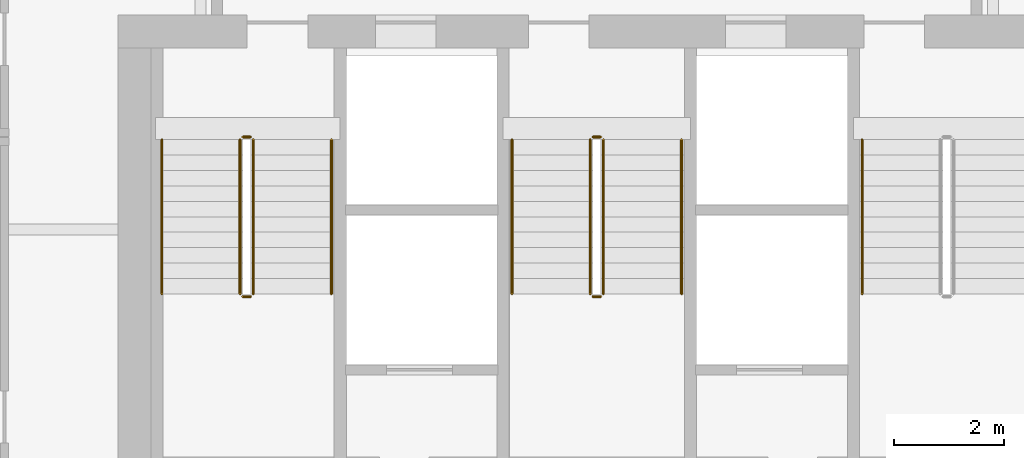
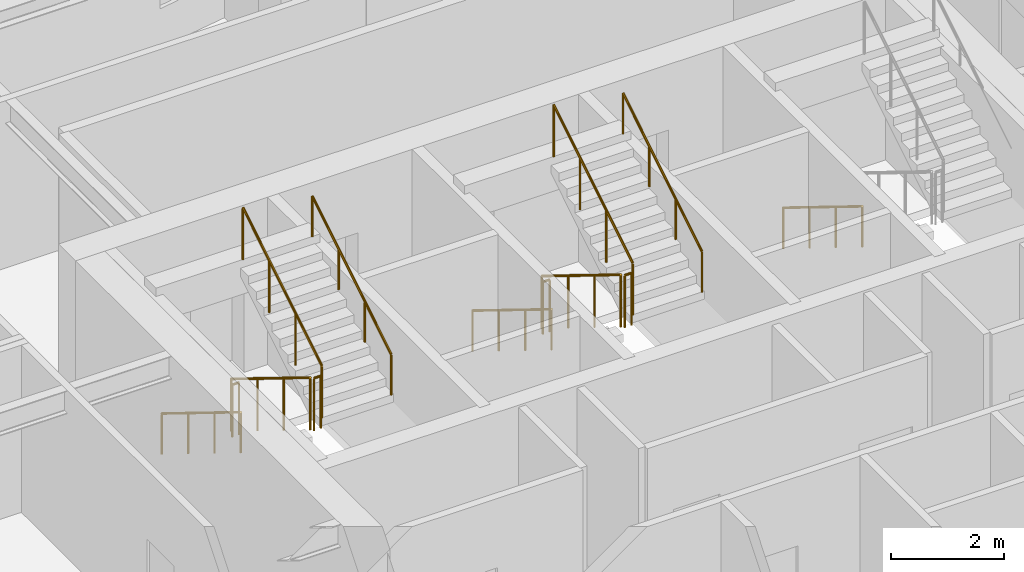
# One storey, part 11 of 12: 13 railings.
"""IFC4 building model written with IfcOpenShell, lengths in metres."""

from ifc_helpers import new_model, si_unit, direction, frame, origin, origin_2d, place, context, subcontext, project, spatial, circle, extrude, material, type_object, element, save


model = new_model("IFC4")

# Units and contexts
model_context = context("Model", 3, precision=1e-05, world=origin(), true_north=direction((0.0, 1.0)))
body_context = subcontext(model_context, "Body", "Model", "MODEL_VIEW")
ifc_project = project(units=[si_unit("LENGTHUNIT", "METRE"), si_unit("AREAUNIT", "SQUARE_METRE"), si_unit("VOLUMEUNIT", "CUBIC_METRE"), si_unit("PLANEANGLEUNIT", "RADIAN"), si_unit("MASSUNIT", "GRAM", prefix="KILO")], contexts=[model_context])

# Site, building, storey
site_placement = place(None, origin())
site = spatial("IfcSite", under=ifc_project, at=site_placement, CompositionType="ELEMENT")
building_placement = place(site_placement, origin())
building = spatial("IfcBuilding", under=site, at=building_placement, Name="Haolan Belvedere Tower", CompositionType="ELEMENT")
storey_placement = place(building_placement, frame((0.0, 0.0, 184.199951171875)))
storey = spatial("IfcBuildingStorey", under=building, at=storey_placement, Name="L46", CompositionType="ELEMENT", Elevation=184.199951171875)

# Railings
ifc_material = material(Name="Brushed stainless steel 304", Category="steel")
railing_type_1 = type_object("IfcRailingType", Name="RL-STAIR-GRD-1150", PredefinedType="GUARDRAIL", material=ifc_material)
railing_1_placement = place(storey_placement, frame((31.919921875, 41.22998046875, 0.1728515625)))
element("IfcRailing", 1, at=railing_1_placement, inside=storey, type_object=railing_type_1, Name="L46 ST1 stair guard 1", PredefinedType="GUARDRAIL", context=body_context, shape_type="SweptSolid", body=[
    extrude(circle(Radius=0.02392578125, at=origin_2d()), frame((0.0, 0.0, 1.1259765625), z_axis=(0.0, -0.851089632645, 0.525020415988), x_axis=(1.0, 0.0, 0.0)), (0.0, 0.0, 1.0), 3.2900390625),
    extrude(circle(Radius=0.02099609375, at=origin_2d()), origin(), (0.0, 0.0, 1.0), 1.101806640625),
    extrude(circle(Radius=0.02099609375, at=origin_2d()), frame((0.0, -0.933349609375, 0.57568359375)), (0.0, 0.0, 1.0), 1.101806640625),
    extrude(circle(Radius=0.02099609375, at=origin_2d()), frame((0.0, -1.86669921875, 1.151611328125)), (0.0, 0.0, 1.0), 1.101806640625),
    extrude(circle(Radius=0.02099609375, at=origin_2d()), frame((0.0, -2.800048828125, 1.727294921875)), (0.0, 0.0, 1.0), 1.101806640625),
])
railing_2_placement = place(storey_placement, frame((31.969970703125, 38.3798828125, 1.900146484375)))
element("IfcRailing", 2, at=railing_2_placement, inside=storey, type_object=railing_type_1, Name="L46 ST1 stair guard 2", PredefinedType="GUARDRAIL", context=body_context, shape_type="SweptSolid", body=[
    extrude(circle(Radius=0.02392578125, at=origin_2d()), frame((0.0, 0.0, 1.1259765625), z_axis=(1.0, 0.0, 0.0), x_axis=(0.0, 1.0, 0.0)), (0.0, 0.0, 1.0), 0.14013671875),
    extrude(circle(Radius=0.02099609375, at=origin_2d()), origin(), (0.0, 0.0, 1.0), 1.101806640625),
    extrude(circle(Radius=0.02099609375, at=origin_2d()), frame((0.14013671875, 0.0, 0.0)), (0.0, 0.0, 1.0), 1.101806640625),
])
railing_3_placement = place(storey_placement, frame((32.159912109375, 38.429931640625, 2.07275390625)))
element("IfcRailing", 3, at=railing_3_placement, inside=storey, type_object=railing_type_1, Name="L46 ST1 stair guard 3", PredefinedType="GUARDRAIL", context=body_context, shape_type="SweptSolid", body=[
    extrude(circle(Radius=0.02392578125, at=origin_2d()), frame((0.0, 0.0, 1.1259765625), z_axis=(0.0, 0.851089632645, 0.525020415988), x_axis=(-1.0, 0.0, 0.0)), (0.0, 0.0, 1.0), 3.2900390625),
    extrude(circle(Radius=0.02099609375, at=origin_2d()), origin(), (0.0, 0.0, 1.0), 1.101806640625),
    extrude(circle(Radius=0.02099609375, at=origin_2d()), frame((0.0, 0.933349609375, 0.57568359375)), (0.0, 0.0, 1.0), 1.101806640625),
    extrude(circle(Radius=0.02099609375, at=origin_2d()), frame((0.0, 1.86669921875, 1.151611328125)), (0.0, 0.0, 1.0), 1.101806640625),
    extrude(circle(Radius=0.02099609375, at=origin_2d()), frame((0.0, 2.800048828125, 1.727294921875)), (0.0, 0.0, 1.0), 1.101806640625),
])
railing_4_placement = place(storey_placement, frame((31.969970703125, 41.280029296875, 0.0)))
element("IfcRailing", 4, at=railing_4_placement, inside=storey, type_object=railing_type_1, Name="L46 ST1 stair guard 4", PredefinedType="GUARDRAIL", context=body_context, shape_type="SweptSolid", body=[
    extrude(circle(Radius=0.02392578125, at=origin_2d()), frame((0.0, 0.0, 1.1259765625), z_axis=(1.0, 0.0, 0.0), x_axis=(0.0, 1.0, 0.0)), (0.0, 0.0, 1.0), 0.14013671875),
    extrude(circle(Radius=0.02099609375, at=origin_2d()), origin(), (0.0, 0.0, 1.0), 1.101806640625),
    extrude(circle(Radius=0.02099609375, at=origin_2d()), frame((0.14013671875, 0.0, 0.0)), (0.0, 0.0, 1.0), 1.101806640625),
])
railing_5_placement = place(storey_placement, frame((38.280029296875, 41.22998046875, 0.1728515625)))
element("IfcRailing", 5, at=railing_5_placement, inside=storey, type_object=railing_type_1, Name="L46 ST3 stair guard 1", PredefinedType="GUARDRAIL", context=body_context, shape_type="SweptSolid", body=[
    extrude(circle(Radius=0.02392578125, at=origin_2d()), frame((0.0, 0.0, 1.1259765625), z_axis=(0.0, -0.851089632645, 0.525020415988), x_axis=(1.0, 0.0, 0.0)), (0.0, 0.0, 1.0), 3.2900390625),
    extrude(circle(Radius=0.02099609375, at=origin_2d()), origin(), (0.0, 0.0, 1.0), 1.101806640625),
    extrude(circle(Radius=0.02099609375, at=origin_2d()), frame((0.0, -0.933349609375, 0.57568359375)), (0.0, 0.0, 1.0), 1.101806640625),
    extrude(circle(Radius=0.02099609375, at=origin_2d()), frame((0.0, -1.86669921875, 1.151611328125)), (0.0, 0.0, 1.0), 1.101806640625),
    extrude(circle(Radius=0.02099609375, at=origin_2d()), frame((0.0, -2.800048828125, 1.727294921875)), (0.0, 0.0, 1.0), 1.101806640625),
])
railing_6_placement = place(storey_placement, frame((38.330078125, 38.3798828125, 1.900146484375)))
element("IfcRailing", 6, at=railing_6_placement, inside=storey, type_object=railing_type_1, Name="L46 ST3 stair guard 2", PredefinedType="GUARDRAIL", context=body_context, shape_type="SweptSolid", body=[
    extrude(circle(Radius=0.02392578125, at=origin_2d()), frame((0.0, 0.0, 1.1259765625), z_axis=(1.0, 0.0, 0.0), x_axis=(0.0, 1.0, 0.0)), (0.0, 0.0, 1.0), 0.139892578125),
    extrude(circle(Radius=0.02099609375, at=origin_2d()), origin(), (0.0, 0.0, 1.0), 1.101806640625),
    extrude(circle(Radius=0.02099609375, at=origin_2d()), frame((0.139892578125, 0.0, 0.0)), (0.0, 0.0, 1.0), 1.101806640625),
])
railing_7_placement = place(storey_placement, frame((38.52001953125, 38.429931640625, 2.07275390625)))
element("IfcRailing", 7, at=railing_7_placement, inside=storey, type_object=railing_type_1, Name="L46 ST3 stair guard 3", PredefinedType="GUARDRAIL", context=body_context, shape_type="SweptSolid", body=[
    extrude(circle(Radius=0.02392578125, at=origin_2d()), frame((0.0, 0.0, 1.1259765625), z_axis=(0.0, 0.851089632645, 0.525020415988), x_axis=(-1.0, 0.0, 0.0)), (0.0, 0.0, 1.0), 3.2900390625),
    extrude(circle(Radius=0.02099609375, at=origin_2d()), origin(), (0.0, 0.0, 1.0), 1.101806640625),
    extrude(circle(Radius=0.02099609375, at=origin_2d()), frame((0.0, 0.933349609375, 0.57568359375)), (0.0, 0.0, 1.0), 1.101806640625),
    extrude(circle(Radius=0.02099609375, at=origin_2d()), frame((0.0, 1.86669921875, 1.151611328125)), (0.0, 0.0, 1.0), 1.101806640625),
    extrude(circle(Radius=0.02099609375, at=origin_2d()), frame((0.0, 2.800048828125, 1.727294921875)), (0.0, 0.0, 1.0), 1.101806640625),
])
railing_8_placement = place(storey_placement, frame((38.330078125, 41.280029296875, 0.0)))
element("IfcRailing", 8, at=railing_8_placement, inside=storey, type_object=railing_type_1, Name="L46 ST3 stair guard 4", PredefinedType="GUARDRAIL", context=body_context, shape_type="SweptSolid", body=[
    extrude(circle(Radius=0.02392578125, at=origin_2d()), frame((0.0, 0.0, 1.1259765625), z_axis=(1.0, 0.0, 0.0), x_axis=(0.0, 1.0, 0.0)), (0.0, 0.0, 1.0), 0.139892578125),
    extrude(circle(Radius=0.02099609375, at=origin_2d()), origin(), (0.0, 0.0, 1.0), 1.101806640625),
    extrude(circle(Radius=0.02099609375, at=origin_2d()), frame((0.139892578125, 0.0, 0.0)), (0.0, 0.0, 1.0), 1.101806640625),
])
railing_type_2 = type_object("IfcRailingType", Name="RL-STAIR-HND-900", PredefinedType="HANDRAIL", material=ifc_material)
railing_9_placement = place(storey_placement, frame((30.5, 41.22998046875, 0.1728515625)))
element("IfcRailing", 9, at=railing_9_placement, inside=storey, type_object=railing_type_2, Name="L46 ST1 stair handrail 1", PredefinedType="HANDRAIL", context=body_context, shape_type="SweptSolid", body=[
    extrude(circle(Radius=0.02392578125, at=origin_2d()), frame((0.0, 0.0, 0.8759765625), z_axis=(0.0, -0.851089632645, 0.525020415988), x_axis=(1.0, 0.0, 0.0)), (0.0, 0.0, 1.0), 3.2900390625),
    extrude(circle(Radius=0.02099609375, at=origin_2d()), origin(), (0.0, 0.0, 1.0), 0.851806640625),
    extrude(circle(Radius=0.02099609375, at=origin_2d()), frame((0.0, -0.933349609375, 0.57568359375)), (0.0, 0.0, 1.0), 0.851806640625),
    extrude(circle(Radius=0.02099609375, at=origin_2d()), frame((0.0, -1.86669921875, 1.151611328125)), (0.0, 0.0, 1.0), 0.851806640625),
    extrude(circle(Radius=0.02099609375, at=origin_2d()), frame((0.0, -2.800048828125, 1.727294921875)), (0.0, 0.0, 1.0), 0.851806640625),
])
railing_10_placement = place(storey_placement, frame((33.580078125, 38.429931640625, 2.07275390625)))
element("IfcRailing", 10, at=railing_10_placement, inside=storey, type_object=railing_type_2, Name="L46 ST1 stair handrail 2", PredefinedType="HANDRAIL", context=body_context, shape_type="SweptSolid", body=[
    extrude(circle(Radius=0.02392578125, at=origin_2d()), frame((0.0, 0.0, 0.8759765625), z_axis=(0.0, 0.851089632645, 0.525020415988), x_axis=(-1.0, 0.0, 0.0)), (0.0, 0.0, 1.0), 3.2900390625),
    extrude(circle(Radius=0.02099609375, at=origin_2d()), origin(), (0.0, 0.0, 1.0), 0.851806640625),
    extrude(circle(Radius=0.02099609375, at=origin_2d()), frame((0.0, 0.933349609375, 0.57568359375)), (0.0, 0.0, 1.0), 0.851806640625),
    extrude(circle(Radius=0.02099609375, at=origin_2d()), frame((0.0, 1.86669921875, 1.151611328125)), (0.0, 0.0, 1.0), 0.851806640625),
    extrude(circle(Radius=0.02099609375, at=origin_2d()), frame((0.0, 2.800048828125, 1.727294921875)), (0.0, 0.0, 1.0), 0.851806640625),
])
railing_11_placement = place(storey_placement, frame((36.860107421875, 41.22998046875, 0.1728515625)))
element("IfcRailing", 11, at=railing_11_placement, inside=storey, type_object=railing_type_2, Name="L46 ST3 stair handrail 1", PredefinedType="HANDRAIL", context=body_context, shape_type="SweptSolid", body=[
    extrude(circle(Radius=0.02392578125, at=origin_2d()), frame((0.0, 0.0, 0.8759765625), z_axis=(0.0, -0.851089632645, 0.525020415988), x_axis=(1.0, 0.0, 0.0)), (0.0, 0.0, 1.0), 3.2900390625),
    extrude(circle(Radius=0.02099609375, at=origin_2d()), origin(), (0.0, 0.0, 1.0), 0.851806640625),
    extrude(circle(Radius=0.02099609375, at=origin_2d()), frame((0.0, -0.933349609375, 0.57568359375)), (0.0, 0.0, 1.0), 0.851806640625),
    extrude(circle(Radius=0.02099609375, at=origin_2d()), frame((0.0, -1.86669921875, 1.151611328125)), (0.0, 0.0, 1.0), 0.851806640625),
    extrude(circle(Radius=0.02099609375, at=origin_2d()), frame((0.0, -2.800048828125, 1.727294921875)), (0.0, 0.0, 1.0), 0.851806640625),
])
railing_12_placement = place(storey_placement, frame((39.93994140625, 38.429931640625, 2.07275390625)))
element("IfcRailing", 12, at=railing_12_placement, inside=storey, type_object=railing_type_2, Name="L46 ST3 stair handrail 2", PredefinedType="HANDRAIL", context=body_context, shape_type="SweptSolid", body=[
    extrude(circle(Radius=0.02392578125, at=origin_2d()), frame((0.0, 0.0, 0.8759765625), z_axis=(0.0, 0.851089632645, 0.525020415988), x_axis=(-1.0, 0.0, 0.0)), (0.0, 0.0, 1.0), 3.2900390625),
    extrude(circle(Radius=0.02099609375, at=origin_2d()), origin(), (0.0, 0.0, 1.0), 0.851806640625),
    extrude(circle(Radius=0.02099609375, at=origin_2d()), frame((0.0, 0.933349609375, 0.57568359375)), (0.0, 0.0, 1.0), 0.851806640625),
    extrude(circle(Radius=0.02099609375, at=origin_2d()), frame((0.0, 1.86669921875, 1.151611328125)), (0.0, 0.0, 1.0), 0.851806640625),
    extrude(circle(Radius=0.02099609375, at=origin_2d()), frame((0.0, 2.800048828125, 1.727294921875)), (0.0, 0.0, 1.0), 0.851806640625),
])
railing_13_placement = place(storey_placement, frame((43.219970703125, 41.22998046875, 0.1728515625)))
element("IfcRailing", 13, at=railing_13_placement, inside=storey, type_object=railing_type_2, Name="L46 ST2 stair handrail 1", PredefinedType="HANDRAIL", context=body_context, shape_type="SweptSolid", body=[
    extrude(circle(Radius=0.02392578125, at=origin_2d()), frame((0.0, 0.0, 0.8759765625), z_axis=(0.0, -0.851089632645, 0.525020415988), x_axis=(1.0, 0.0, 0.0)), (0.0, 0.0, 1.0), 3.2900390625),
    extrude(circle(Radius=0.02099609375, at=origin_2d()), origin(), (0.0, 0.0, 1.0), 0.851806640625),
    extrude(circle(Radius=0.02099609375, at=origin_2d()), frame((0.0, -0.933349609375, 0.57568359375)), (0.0, 0.0, 1.0), 0.851806640625),
    extrude(circle(Radius=0.02099609375, at=origin_2d()), frame((0.0, -1.86669921875, 1.151611328125)), (0.0, 0.0, 1.0), 0.851806640625),
    extrude(circle(Radius=0.02099609375, at=origin_2d()), frame((0.0, -2.800048828125, 1.727294921875)), (0.0, 0.0, 1.0), 0.851806640625),
])

save(model, "model.ifc")
